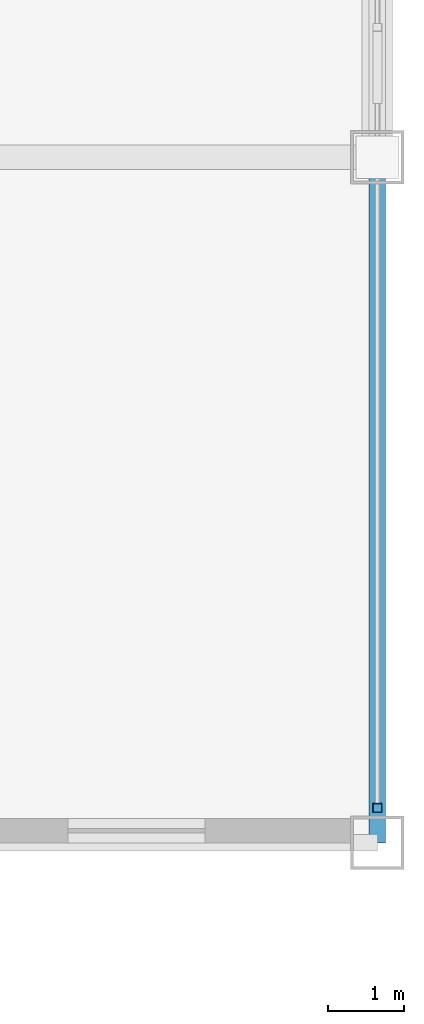
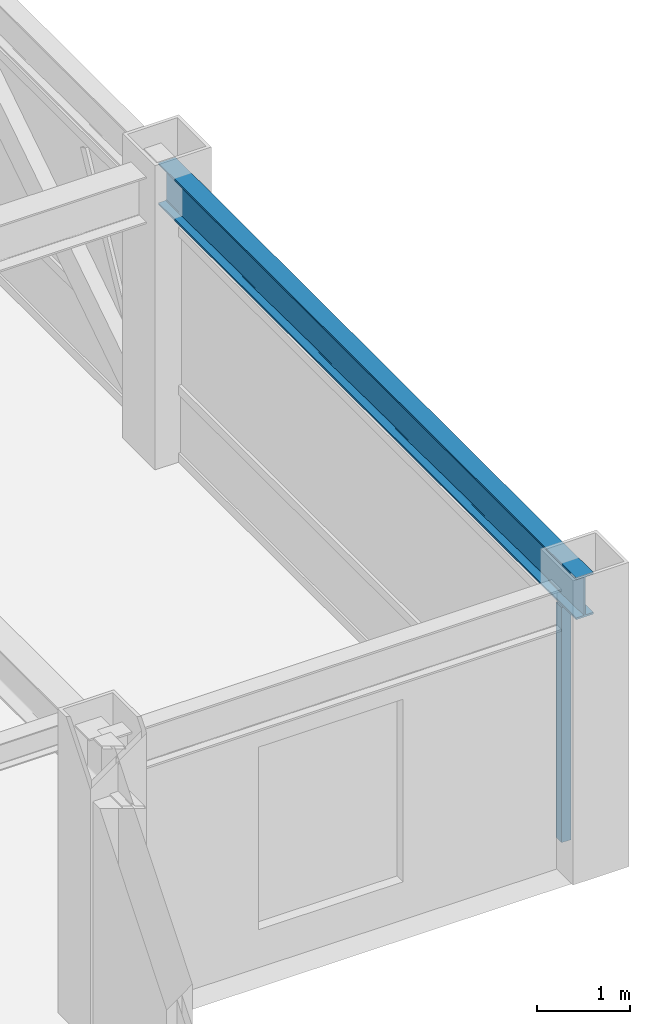
# One storey, part 10 of 29: 1 beam, 1 member, 1 element without a shape of its own.
"""IFC4 building model written with IfcOpenShell, lengths in metres."""

from ifc_helpers import new_model, si_unit, direction, frame, origin, origin_2d, place, context, subcontext, project, spatial, hollow_rectangle, i_section, extrude, source, transform, mapped, material, material_profile, profile_set, type_object, element, aggregate, save


model = new_model("IFC4")

# Units and contexts
model_context = context("Model", 3, precision=1e-05, world=origin(), true_north=direction((0.0, 1.0)))
body_context = subcontext(model_context, "Body", "Model", "MODEL_VIEW")
ifc_project = project(units=[si_unit("LENGTHUNIT", "METRE"), si_unit("AREAUNIT", "SQUARE_METRE"), si_unit("VOLUMEUNIT", "CUBIC_METRE"), si_unit("PLANEANGLEUNIT", "RADIAN"), si_unit("MASSUNIT", "GRAM", prefix="KILO")], contexts=[model_context])

# Site, building, storey
site_placement = place(None, origin())
site = spatial("IfcSite", under=ifc_project, at=site_placement, CompositionType="ELEMENT")
building_placement = place(site_placement, origin())
building = spatial("IfcBuilding", under=site, at=building_placement, Name="Khorayat Bourse Tower", CompositionType="ELEMENT")
storey_placement = place(building_placement, frame((0.0, 0.0, 358.300048828125)))
storey = spatial("IfcBuildingStorey", under=building, at=storey_placement, Name="L85", CompositionType="ELEMENT", Elevation=358.300048828125)

# Beam
ifc_material_1 = material(Name="Steel ASTM A992 Grade 50", Category="steel")
ifc_material_profile_1 = material_profile(ifc_material_1, i_section(OverallWidth=0.214111328125, OverallDepth=0.549072265625, WebThickness=0.0146484375, FlangeThickness=0.023681640625, FilletRadius=0.013916015625, at=origin_2d()), Name="W530X138")
ifc_profile_set_1 = profile_set([ifc_material_profile_1], Name="Steel ASTM A992 Grade 50")
beam_type = type_object("IfcBeamType", Name="BM-SPAN-530", PredefinedType="SPANDREL", material=ifc_profile_set_1)
shared_shape_1 = source(origin(), body_context, "Body", "SweptSolid", [
    extrude(i_section(OverallWidth=0.214111328125, OverallDepth=0.549072265625, WebThickness=0.0146484375, FlangeThickness=0.023681640625, FilletRadius=0.013916015625, at=origin_2d()), origin(), (0.0, 0.0, 1.0), 9.0),
])
beam_placement = place(storey_placement, frame((26.0, -20.0, 3.46533203125), z_axis=(0.0, 1.0, 0.0), x_axis=(-1.0, 0.0, 0.0)))
element("IfcBeam", 1, at=beam_placement, inside=storey, type_object=beam_type, Name="L85 BM-SPAN-530 BM-L85-SPN-032", PredefinedType="SPANDREL", context=body_context, shape_type="MappedRepresentation", body=[
    mapped(shared_shape_1, transform((0.0, 0.0, 0.0), scale=1.0)),
])

# Curtain wall, member
ifc_material_2 = material(Name="Aluminium EN AW-6063 T6", Category="aluminium")
curtain_wall_type = type_object("IfcCurtainWallType", Name="CW-SYS-04", PredefinedType="NOTDEFINED", material=ifc_material_2)
curtain_wall_placement = place(storey_placement, origin())
curtain_wall = element("IfcCurtainWall", 2, at=curtain_wall_placement, inside=storey, type_object=curtain_wall_type, Name="L85 Curtain Wall CW-L85-E1", PredefinedType="NOTDEFINED")
ifc_material_profile_2 = material_profile(ifc_material_2, hollow_rectangle(XDim=0.1201171875, YDim=0.1201171875, WallThickness=0.0048828125, at=origin_2d()), Name="ALU 120x120x5")
ifc_profile_set_2 = profile_set([ifc_material_profile_2], Name="Aluminium EN AW-6063 T6")
member_type = type_object("IfcMemberType", Name="CWM-VERT-120", PredefinedType="MULLION", material=ifc_profile_set_2)
shared_shape_2 = source(origin(), body_context, "Body", "SweptSolid", [
    extrude(hollow_rectangle(XDim=0.1201171875, YDim=0.1201171875, WallThickness=0.0048828125, at=origin_2d()), origin(), (0.0, 0.0, 1.0), 3.08984375),
])
member_placement = place(storey_placement, frame((26.0, -19.5400390625, 0.0), z_axis=(0.0, 0.0, 1.0), x_axis=(-1.0, 0.0, 0.0)))
member = element("IfcMember", 3, at=member_placement, type_object=member_type, Name="CW-L85-E1 Vertical Mullion 1", PredefinedType="MULLION", context=body_context, shape_type="MappedRepresentation", body=[
    mapped(shared_shape_2, transform((0.0, 0.0, 0.0), scale=1.0)),
])
aggregate(curtain_wall, [member])

save(model, "model.ifc")
